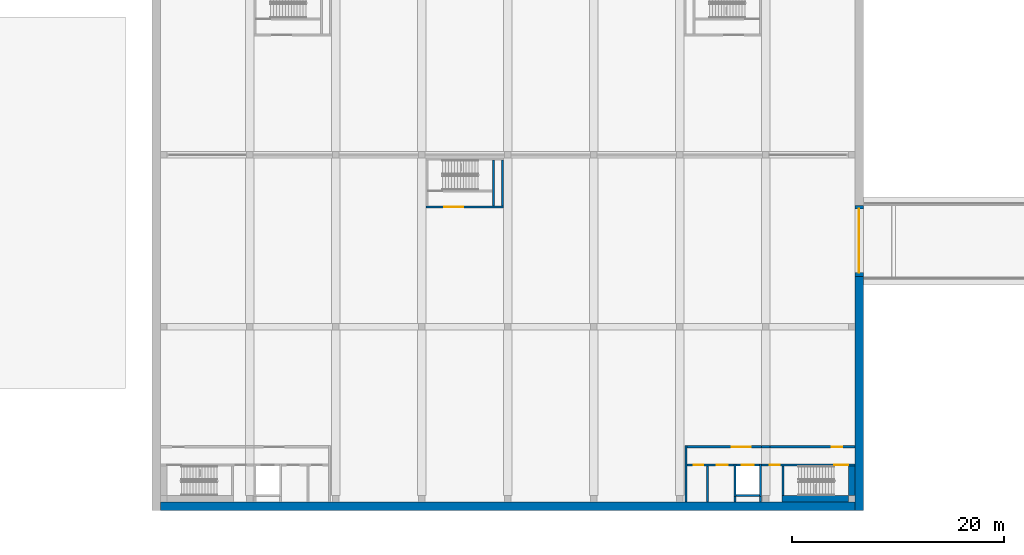
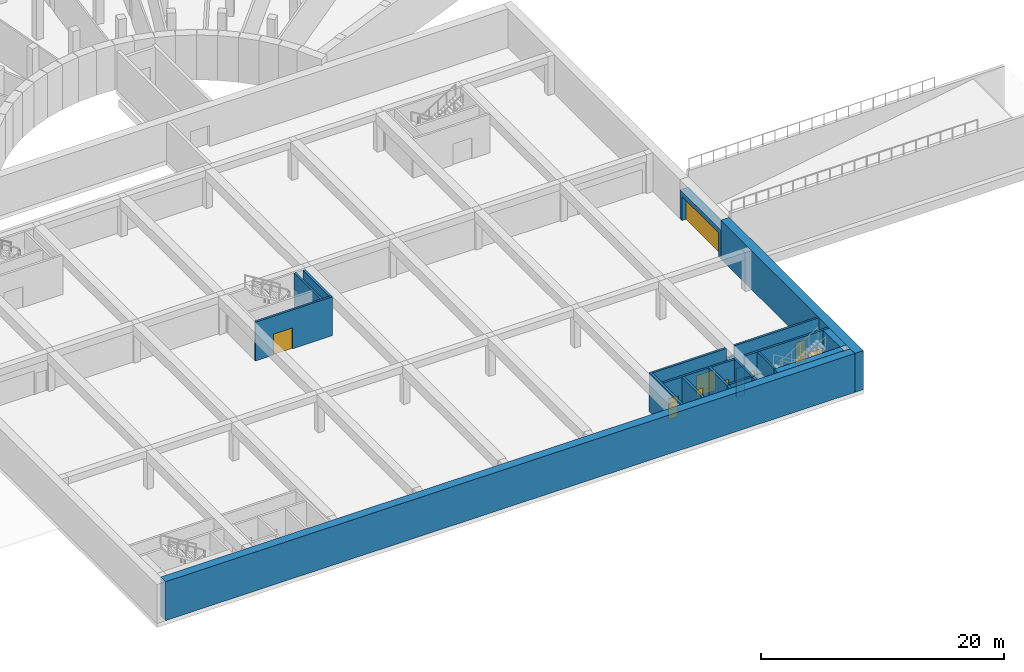
# One storey, part 4 of 23: 23 walls, 9 doors, 9 openings.
"""IFC4 building model written with IfcOpenShell, lengths in metres."""

from ifc_helpers import new_model, si_unit, direction, frame, frame_2d, origin, place, context, subcontext, project, spatial, rectangle, extrude, material, layer, layer_set, type_object, element, fill, save


model = new_model("IFC4")

# Units and contexts
model_context = context("Model", 3, precision=1e-05, world=origin(), true_north=direction((0.0, 1.0)))
body_context = subcontext(model_context, "Body", "Model", "MODEL_VIEW")
ifc_project = project(units=[si_unit("LENGTHUNIT", "METRE"), si_unit("AREAUNIT", "SQUARE_METRE"), si_unit("VOLUMEUNIT", "CUBIC_METRE"), si_unit("PLANEANGLEUNIT", "RADIAN"), si_unit("MASSUNIT", "GRAM", prefix="KILO")], contexts=[model_context])

# Site, building, storey
site_placement = place(None, origin())
site = spatial("IfcSite", under=ifc_project, at=site_placement, CompositionType="ELEMENT")
building_placement = place(site_placement, origin())
building = spatial("IfcBuilding", under=site, at=building_placement, Name="Stone Belt Terrace Tower", CompositionType="ELEMENT")
storey_placement = place(building_placement, frame((0.0, 0.0, -4.5)))
storey = spatial("IfcBuildingStorey", under=building, at=storey_placement, Name="B1", CompositionType="ELEMENT", Elevation=-4.5)

# Wall
ifc_material_1 = material(Name="Concrete B30", Category="concrete")
ifc_layer_1 = layer(ifc_material_1, 0.199951171875)
ifc_layer_set_1 = layer_set([ifc_layer_1], Name="Car park core wall 200 variant D")
wall_type_1 = type_object("IfcWallType", Name="Car park core wall 200 variant D", PredefinedType="SOLIDWALL", material=ifc_layer_set_1)
wall_1_placement = place(storey_placement, frame((25.93994140625, -50.10009765625, 0.0), z_axis=(0.0, 0.0, 1.0), x_axis=(0.0, 1.0, 0.0)))
element("IfcWall", 1, at=wall_1_placement, inside=storey, type_object=wall_type_1, Name="Car park stair 2 wall", PredefinedType="SOLIDWALL", context=body_context, shape_type="SweptSolid", body=[
    extrude(rectangle(XDim=2.800048828125, YDim=0.199951171875, at=frame_2d((1.39990234375, 0.0))), origin(), (0.0, 0.0, 1.0), 3.89990234375),
])

# Wall, openings, doors
wall_2_placement = place(storey_placement, frame((24.699951171875, -47.199951171875, 0.0), z_axis=(0.0, 0.0, 1.0), x_axis=(1.0, 0.0, 0.0)))
wall_2 = element("IfcWall", 2, at=wall_2_placement, inside=storey, type_object=wall_type_1, Name="Car park core 2 wall", PredefinedType="SOLIDWALL", context=body_context, shape_type="SweptSolid", body=[
    extrude(rectangle(XDim=8.0, YDim=0.199951171875, at=frame_2d((4.0, 0.0))), origin(), (0.0, 0.0, 1.0), 3.89990234375),
])
opening_1_placement = place(wall_2_placement, frame((6.050048828125, 0.0, 0.0)))
opening_1 = element("IfcOpeningElement", 3, at=opening_1_placement, cuts=wall_2, Name="Opening B1-S13", PredefinedType="OPENING", context=body_context, shape_type="SweptSolid", body=[
    extrude(rectangle(XDim=1.300048828125, YDim=2.10009765625, at=frame_2d((0.64990234375, 1.050048828125))), frame((0.0, 0.10986328125, 0.0), z_axis=(0.0, -1.0, 0.0), x_axis=(1.0, 0.0, 0.0)), (0.0, 0.0, 1.0), 0.219970703125),
])
opening_2_placement = place(wall_2_placement, origin())
opening_2 = element("IfcOpeningElement", 4, at=opening_2_placement, cuts=wall_2, Name="Opening B1-S14", PredefinedType="OPENING", context=body_context, shape_type="SweptSolid", body=[
    extrude(rectangle(XDim=0.89990234375, YDim=2.10009765625, at=frame_2d((0.449951171875, 1.050048828125))), frame((0.0, 0.10986328125, 0.0), z_axis=(0.0, -1.0, 0.0), x_axis=(1.0, 0.0, 0.0)), (0.0, 0.0, 1.0), 0.219970703125),
])
ifc_material_2 = material(Name="Steel door leaf", Category="steel")
door_type_1 = type_object("IfcDoorType", Name="Core door 1300 fire rated", OperationType="NOTDEFINED", PredefinedType="DOOR", material=ifc_material_2)
door_1_placement = place(opening_1_placement, origin())
door_1 = element("IfcDoor", 5, at=door_1_placement, inside=storey, type_object=door_type_1, Name="Stair 2 door", OperationType="SINGLE_SWING_RIGHT", OverallHeight=2.10009765625, OverallWidth=1.300048828125, PredefinedType="DOOR", context=body_context, shape_type="SweptSolid", body=[
    extrude(rectangle(XDim=1.300048828125, YDim=2.10009765625, at=frame_2d((0.64990234375, 1.050048828125))), frame((0.0, 0.02490234375, 0.0), z_axis=(0.0, -1.0, 0.0), x_axis=(1.0, 0.0, 0.0)), (0.0, 0.0, 1.0), 0.050048828125),
])
fill(opening_1, door_1)
door_type_2 = type_object("IfcDoorType", Name="Core door 900 fire rated", OperationType="NOTDEFINED", PredefinedType="DOOR", material=ifc_material_2)
door_2_placement = place(opening_2_placement, origin())
door_2 = element("IfcDoor", 6, at=door_2_placement, inside=storey, type_object=door_type_2, Name="Riser room 2 door", OperationType="SINGLE_SWING_LEFT", OverallHeight=2.10009765625, OverallWidth=0.89990234375, PredefinedType="DOOR", context=body_context, shape_type="SweptSolid", body=[
    extrude(rectangle(XDim=0.89990234375, YDim=2.10009765625, at=frame_2d((0.449951171875, 1.050048828125))), frame((0.0, 0.02490234375, 0.0), z_axis=(0.0, -1.0, 0.0), x_axis=(1.0, 0.0, 0.0)), (0.0, 0.0, 1.0), 0.050048828125),
])
fill(opening_2, door_2)

wall_3_placement = place(storey_placement, frame((16.89990234375, -47.199951171875, 0.0), z_axis=(0.0, 0.0, 1.0), x_axis=(1.0, 0.0, 0.0)))
wall_3 = element("IfcWall", 7, at=wall_3_placement, inside=storey, type_object=wall_type_1, Name="Car park core 2 wall", PredefinedType="SOLIDWALL", context=body_context, shape_type="SweptSolid", body=[
    extrude(rectangle(XDim=4.400146484375, YDim=0.199951171875, at=frame_2d((2.2001953125, 0.0))), origin(), (0.0, 0.0, 1.0), 3.89990234375),
])
opening_3_placement = place(wall_3_placement, frame((2.800048828125, 0.0, 0.0)))
opening_3 = element("IfcOpeningElement", 8, at=opening_3_placement, cuts=wall_3, Name="Opening B1-S16", PredefinedType="OPENING", context=body_context, shape_type="SweptSolid", body=[
    extrude(rectangle(XDim=1.0, YDim=2.10009765625, at=frame_2d((0.5, 1.050048828125))), frame((0.0, 0.10986328125, 0.0), z_axis=(0.0, -1.0, 0.0), x_axis=(1.0, 0.0, 0.0)), (0.0, 0.0, 1.0), 0.219970703125),
])
opening_4_placement = place(wall_3_placement, frame((0.60009765625, 0.0, 0.0)))
opening_4 = element("IfcOpeningElement", 9, at=opening_4_placement, cuts=wall_3, Name="Opening B1-S17", PredefinedType="OPENING", context=body_context, shape_type="SweptSolid", body=[
    extrude(rectangle(XDim=0.89990234375, YDim=2.10009765625, at=frame_2d((0.449951171875, 1.050048828125))), frame((0.0, 0.10986328125, 0.0), z_axis=(0.0, -1.0, 0.0), x_axis=(1.0, 0.0, 0.0)), (0.0, 0.0, 1.0), 0.219970703125),
])
door_type_3 = type_object("IfcDoorType", Name="Core door 1000 fire rated", OperationType="NOTDEFINED", PredefinedType="DOOR", material=ifc_material_2)
door_3_placement = place(opening_3_placement, origin())
door_3 = element("IfcDoor", 10, at=door_3_placement, inside=storey, type_object=door_type_3, Name="Accessible WC 2 door", OperationType="SINGLE_SWING_RIGHT", OverallHeight=2.10009765625, OverallWidth=1.0, PredefinedType="DOOR", context=body_context, shape_type="SweptSolid", body=[
    extrude(rectangle(XDim=1.0, YDim=2.10009765625, at=frame_2d((0.5, 1.050048828125))), frame((0.0, 0.02490234375, 0.0), z_axis=(0.0, -1.0, 0.0), x_axis=(1.0, 0.0, 0.0)), (0.0, 0.0, 1.0), 0.050048828125),
])
fill(opening_3, door_3)
door_4_placement = place(opening_4_placement, origin())
door_4 = element("IfcDoor", 11, at=door_4_placement, inside=storey, type_object=door_type_2, Name="Equipment store 2 door", OperationType="SINGLE_SWING_LEFT", OverallHeight=2.10009765625, OverallWidth=0.89990234375, PredefinedType="DOOR", context=body_context, shape_type="SweptSolid", body=[
    extrude(rectangle(XDim=0.89990234375, YDim=2.10009765625, at=frame_2d((0.449951171875, 1.050048828125))), frame((0.0, 0.02490234375, 0.0), z_axis=(0.0, -1.0, 0.0), x_axis=(1.0, 0.0, 0.0)), (0.0, 0.0, 1.0), 0.050048828125),
])
fill(opening_4, door_4)

# Walls
for number, where, z_axis, x_axis, name in (
    (12, (23.800048828125, -50.699951171875, 0.0), (0.0, 0.0, 1.0), (0.0, 1.0, 0.0), "Car park core 2 wall"),
    (13, (21.39990234375, -50.699951171875, 0.0), (0.0, 0.0, 1.0), (0.0, 1.0, 0.0), "Car park core 2 wall"),
):
    element("IfcWall", number, at=place(storey_placement, frame(where, z_axis=z_axis, x_axis=x_axis)), inside=storey, type_object=wall_type_1, Name=name, PredefinedType="SOLIDWALL", context=body_context, shape_type="SweptSolid", body=[
        extrude(rectangle(XDim=0.5, YDim=0.199951171875, at=frame_2d((0.25, 0.0))), origin(), (0.0, 0.0, 1.0), 3.89990234375),
    ])
wall_4_placement = place(storey_placement, frame((16.800048828125, -50.699951171875, 0.0), z_axis=(0.0, 0.0, 1.0), x_axis=(0.0, 1.0, 0.0)))
element("IfcWall", 14, at=wall_4_placement, inside=storey, type_object=wall_type_1, Name="Car park core 2 wall", PredefinedType="SOLIDWALL", context=body_context, shape_type="SweptSolid", body=[
    extrude(rectangle(XDim=5.300048828125, YDim=0.199951171875, at=frame_2d((2.64990234375, 0.0))), origin(), (0.0, 0.0, 1.0), 3.89990234375),
])

# Wall, opening, door
wall_5_placement = place(storey_placement, frame((16.89990234375, -45.5, 0.0), z_axis=(0.0, 0.0, 1.0), x_axis=(1.0, 0.0, 0.0)))
wall_5 = element("IfcWall", 15, at=wall_5_placement, inside=storey, type_object=wall_type_1, Name="Car park core 2 front wall", PredefinedType="SOLIDWALL", context=body_context, shape_type="SweptSolid", body=[
    extrude(rectangle(XDim=7.0, YDim=0.199951171875, at=frame_2d((3.5, 0.0))), origin(), (0.0, 0.0, 1.0), 3.89990234375),
])
opening_5_placement = place(wall_5_placement, frame((4.199951171875, 0.0, 0.0)))
opening_5 = element("IfcOpeningElement", 16, at=opening_5_placement, cuts=wall_5, Name="Opening B1-S18", PredefinedType="OPENING", context=body_context, shape_type="SweptSolid", body=[
    extrude(rectangle(XDim=1.800048828125, YDim=2.10009765625, at=frame_2d((0.89990234375, 1.050048828125))), frame((0.0, 0.10986328125, 0.0), z_axis=(0.0, -1.0, 0.0), x_axis=(1.0, 0.0, 0.0)), (0.0, 0.0, 1.0), 0.219970703125),
])
door_type_4 = type_object("IfcDoorType", Name="Core door pair 1800 fire rated", OperationType="DOUBLE_DOOR_DOUBLE_SWING", PredefinedType="DOOR", material=ifc_material_2)
door_5_placement = place(opening_5_placement, origin())
door_5 = element("IfcDoor", 17, at=door_5_placement, inside=storey, type_object=door_type_4, Name="Car park lobby 2 door", OperationType="SINGLE_SWING_LEFT", OverallHeight=2.10009765625, OverallWidth=1.800048828125, PredefinedType="DOOR", context=body_context, shape_type="SweptSolid", body=[
    extrude(rectangle(XDim=1.800048828125, YDim=2.10009765625, at=frame_2d((0.89990234375, 1.050048828125))), frame((0.0, 0.02490234375, 0.0), z_axis=(0.0, -1.0, 0.0), x_axis=(1.0, 0.0, 0.0)), (0.0, 0.0, 1.0), 0.050048828125),
])
fill(opening_5, door_5)

wall_6_placement = place(storey_placement, frame((24.699951171875, -45.5, 0.0), z_axis=(0.0, 0.0, 1.0), x_axis=(1.0, 0.0, 0.0)))
wall_6 = element("IfcWall", 18, at=wall_6_placement, inside=storey, type_object=wall_type_1, Name="Car park core 2 front wall", PredefinedType="SOLIDWALL", context=body_context, shape_type="SweptSolid", body=[
    extrude(rectangle(XDim=8.0, YDim=0.199951171875, at=frame_2d((4.0, 0.0))), origin(), (0.0, 0.0, 1.0), 3.89990234375),
])
opening_6_placement = place(wall_6_placement, frame((5.800048828125, 0.0, 0.0)))
opening_6 = element("IfcOpeningElement", 19, at=opening_6_placement, cuts=wall_6, Name="Opening B1-S19", PredefinedType="OPENING", context=body_context, shape_type="SweptSolid", body=[
    extrude(rectangle(XDim=1.0, YDim=2.10009765625, at=frame_2d((0.5, 1.050048828125))), frame((0.0, 0.10986328125, 0.0), z_axis=(0.0, -1.0, 0.0), x_axis=(1.0, 0.0, 0.0)), (0.0, 0.0, 1.0), 0.219970703125),
])
door_6_placement = place(opening_6_placement, origin())
door_6 = element("IfcDoor", 20, at=door_6_placement, inside=storey, type_object=door_type_3, Name="Car park exit 2 door", OperationType="SINGLE_SWING_LEFT", OverallHeight=2.10009765625, OverallWidth=1.0, PredefinedType="DOOR", context=body_context, shape_type="SweptSolid", body=[
    extrude(rectangle(XDim=1.0, YDim=2.10009765625, at=frame_2d((0.5, 1.050048828125))), frame((0.0, 0.02490234375, 0.0), z_axis=(0.0, -1.0, 0.0), x_axis=(1.0, 0.0, 0.0)), (0.0, 0.0, 1.0), 0.050048828125),
])
fill(opening_6, door_6)

wall_7_placement = place(storey_placement, frame((-7.699951171875, -22.89990234375, 0.0), z_axis=(0.0, 0.0, 1.0), x_axis=(1.0, 0.0, 0.0)))
wall_7 = element("IfcWall", 21, at=wall_7_placement, inside=storey, type_object=wall_type_1, Name="Car park stair 5 front wall", PredefinedType="SOLIDWALL", context=body_context, shape_type="SweptSolid", body=[
    extrude(rectangle(XDim=7.300048828125, YDim=0.199951171875, at=frame_2d((3.64990234375, 0.0))), origin(), (0.0, 0.0, 1.0), 3.89990234375),
])
opening_7_placement = place(wall_7_placement, frame((1.699951171875, 0.0, 0.0)))
opening_7 = element("IfcOpeningElement", 22, at=opening_7_placement, cuts=wall_7, Name="Opening B1-S25", PredefinedType="OPENING", context=body_context, shape_type="SweptSolid", body=[
    extrude(rectangle(XDim=1.800048828125, YDim=2.10009765625, at=frame_2d((0.89990234375, 1.050048828125))), frame((0.0, 0.10986328125, 0.0), z_axis=(0.0, -1.0, 0.0), x_axis=(1.0, 0.0, 0.0)), (0.0, 0.0, 1.0), 0.219970703125),
])
door_7_placement = place(opening_7_placement, origin())
door_7 = element("IfcDoor", 23, at=door_7_placement, inside=storey, type_object=door_type_4, Name="Car park stair 5 vestibule door", OperationType="SINGLE_SWING_LEFT", OverallHeight=2.10009765625, OverallWidth=1.800048828125, PredefinedType="DOOR", context=body_context, shape_type="SweptSolid", body=[
    extrude(rectangle(XDim=1.800048828125, YDim=2.10009765625, at=frame_2d((0.89990234375, 1.050048828125))), frame((0.0, 0.02490234375, 0.0), z_axis=(0.0, -1.0, 0.0), x_axis=(1.0, 0.0, 0.0)), (0.0, 0.0, 1.0), 0.050048828125),
])
fill(opening_7, door_7)

# Walls
for number, where, z_axis, x_axis, name in (
    (24, (-1.340087890625, -22.800048828125, 0.0), (0.0, 0.0, 1.0), (0.0, 1.0, 0.0), "Car park stair 5 wall"),
    (25, (-0.5, -22.800048828125, 0.0), (0.0, 0.0, 1.0), (0.0, 1.0, 0.0), "Car park stair 5 wall"),
):
    element("IfcWall", number, at=place(storey_placement, frame(where, z_axis=z_axis, x_axis=x_axis)), inside=storey, type_object=wall_type_1, Name=name, PredefinedType="SOLIDWALL", context=body_context, shape_type="SweptSolid", body=[
        extrude(rectangle(XDim=4.300048828125, YDim=0.199951171875, at=frame_2d((2.14990234375, 0.0))), origin(), (0.0, 0.0, 1.0), 3.89990234375),
    ])
ifc_layer_2 = layer(ifc_material_1, 0.199951171875)
ifc_layer_set_2 = layer_set([ifc_layer_2], Name="Car park core wall 200 variant E")
wall_type_2 = type_object("IfcWallType", Name="Car park core wall 200 variant E", PredefinedType="SOLIDWALL", material=ifc_layer_set_2)
for number, where, z_axis, x_axis, name in (
    (26, (23.89990234375, -47.199951171875, 0.0), (0.0, 0.0, 1.0), (1.0, 0.0, 0.0), "Car park core 2 wall"),
    (27, (23.89990234375, -45.5, 0.0), (0.0, 0.0, 1.0), (1.0, 0.0, 0.0), "Car park core 2 front wall"),
):
    element("IfcWall", number, at=place(storey_placement, frame(where, z_axis=z_axis, x_axis=x_axis)), inside=storey, type_object=wall_type_2, Name=name, PredefinedType="SOLIDWALL", context=body_context, shape_type="SweptSolid", body=[
        extrude(rectangle(XDim=0.800048828125, YDim=0.199951171875, at=frame_2d((0.39990234375, 0.0))), origin(), (0.0, 0.0, 1.0), 2.89990234375),
    ])

# Wall, opening, door
ifc_layer_3 = layer(ifc_material_1, 0.199951171875)
ifc_layer_set_3 = layer_set([ifc_layer_3], Name="Car park core wall 200 variant F")
wall_type_3 = type_object("IfcWallType", Name="Car park core wall 200 variant F", PredefinedType="SOLIDWALL", material=ifc_layer_set_3)
wall_8_placement = place(storey_placement, frame((21.5, -47.199951171875, -0.39990234375), z_axis=(0.0, 0.0, 1.0), x_axis=(1.0, 0.0, 0.0)))
wall_8 = element("IfcWall", 28, at=wall_8_placement, inside=storey, type_object=wall_type_3, Name="Car park lift 2 shaft wall", PredefinedType="SOLIDWALL", context=body_context, shape_type="SweptSolid", body=[
    extrude(rectangle(XDim=2.199951171875, YDim=0.199951171875, at=frame_2d((1.10009765625, 0.0))), origin(), (0.0, 0.0, 1.0), 4.2998046875),
])
opening_8_placement = place(wall_8_placement, frame((0.550048828125, 0.0, 0.39990234375)))
opening_8 = element("IfcOpeningElement", 29, at=opening_8_placement, cuts=wall_8, Name="Opening B1-S15", PredefinedType="OPENING", context=body_context, shape_type="SweptSolid", body=[
    extrude(rectangle(XDim=1.10009765625, YDim=2.10009765625, at=frame_2d((0.550048828125, 1.050048828125))), frame((0.0, 0.10986328125, 0.0), z_axis=(0.0, -1.0, 0.0), x_axis=(1.0, 0.0, 0.0)), (0.0, 0.0, 1.0), 0.219970703125),
])
ifc_material_3 = material(Name="Stainless steel", Category="steel")
door_type_5 = type_object("IfcDoorType", Name="Lift landing door 1100", OperationType="SLIDING_TO_LEFT", PredefinedType="DOOR", material=ifc_material_3)
door_8_placement = place(opening_8_placement, origin())
door_8 = element("IfcDoor", 30, at=door_8_placement, inside=storey, type_object=door_type_5, Name="Lift 2 landing door", OperationType="SLIDING_TO_RIGHT", OverallHeight=2.10009765625, OverallWidth=1.10009765625, PredefinedType="DOOR", context=body_context, shape_type="SweptSolid", body=[
    extrude(rectangle(XDim=1.10009765625, YDim=2.10009765625, at=frame_2d((0.550048828125, 1.050048828125))), frame((0.0, 0.02490234375, 0.0), z_axis=(0.0, -1.0, 0.0), x_axis=(1.0, 0.0, 0.0)), (0.0, 0.0, 1.0), 0.050048828125),
])
fill(opening_8, door_8)

# Walls
for number, where, z_axis, x_axis, name in (
    (31, (23.800048828125, -50.199951171875, -0.39990234375), (0.0, 0.0, 1.0), (0.0, 1.0, 0.0), "Car park lift 2 shaft wall"),
    (32, (21.39990234375, -50.199951171875, -0.39990234375), (0.0, 0.0, 1.0), (0.0, 1.0, 0.0), "Car park lift 2 shaft wall"),
):
    element("IfcWall", number, at=place(storey_placement, frame(where, z_axis=z_axis, x_axis=x_axis)), inside=storey, type_object=wall_type_3, Name=name, PredefinedType="SOLIDWALL", context=body_context, shape_type="SweptSolid", body=[
        extrude(rectangle(XDim=3.099853515625, YDim=0.199951171875, at=frame_2d((1.5498046875, 0.0))), origin(), (0.0, 0.0, 1.0), 4.2998046875),
    ])
wall_9_placement = place(storey_placement, frame((21.5, -50.10009765625, -0.39990234375), z_axis=(0.0, 0.0, 1.0), x_axis=(1.0, 0.0, 0.0)))
element("IfcWall", 33, at=wall_9_placement, inside=storey, type_object=wall_type_3, Name="Car park lift 2 shaft wall", PredefinedType="SOLIDWALL", context=body_context, shape_type="SweptSolid", body=[
    extrude(rectangle(XDim=2.199951171875, YDim=0.199951171875, at=frame_2d((1.10009765625, 0.0))), origin(), (0.0, 0.0, 1.0), 4.2998046875),
])
ifc_material_4 = material(Name="Blockwork", Category="masonry")
ifc_layer_4 = layer(ifc_material_4, 0.199951171875)
ifc_layer_set_4 = layer_set([ifc_layer_4], Name="Car park partition 200 variant A")
wall_type_4 = type_object("IfcWallType", Name="Car park partition 200 variant A", PredefinedType="PARTITIONING", material=ifc_layer_set_4)
wall_10_placement = place(storey_placement, frame((18.800048828125, -50.699951171875, 0.0), z_axis=(0.0, 0.0, 1.0), x_axis=(0.0, 1.0, 0.0)))
element("IfcWall", 34, at=wall_10_placement, inside=storey, type_object=wall_type_4, Name="Car park core 2 partition", PredefinedType="PARTITIONING", context=body_context, shape_type="SweptSolid", body=[
    extrude(rectangle(XDim=3.39990234375, YDim=0.199951171875, at=frame_2d((1.699951171875, 0.0))), origin(), (0.0, 0.0, 1.0), 3.89990234375),
])
ifc_layer_5 = layer(ifc_material_1, 0.800048828125)
ifc_layer_set_5 = layer_set([ifc_layer_5], Name="Car park retaining wall 800 variant A")
wall_type_5 = type_object("IfcWallType", Name="Car park retaining wall 800 variant A", PredefinedType="SOLIDWALL", material=ifc_layer_set_5)
wall_11_placement = place(storey_placement, frame((33.10009765625, -51.5, 0.0), z_axis=(0.0, 0.0, 1.0), x_axis=(0.0, 1.0, 0.0)))
element("IfcWall", 35, at=wall_11_placement, inside=storey, type_object=wall_type_5, Name="Car park retaining wall east", PredefinedType="SOLIDWALL", context=body_context, shape_type="SweptSolid", body=[
    extrude(rectangle(XDim=22.050048828125, YDim=0.800048828125, at=frame_2d((11.02490234375, 0.0))), origin(), (0.0, 0.0, 1.0), 3.89990234375),
])
wall_12_placement = place(storey_placement, frame((-32.699951171875, -51.10009765625, 0.0), z_axis=(0.0, 0.0, 1.0), x_axis=(1.0, 0.0, 0.0)))
element("IfcWall", 36, at=wall_12_placement, inside=storey, type_object=wall_type_5, Name="Car park retaining wall south", PredefinedType="SOLIDWALL", context=body_context, shape_type="SweptSolid", body=[
    extrude(rectangle(XDim=65.39990234375, YDim=0.800048828125, at=frame_2d((32.699951171875, 0.0))), origin(), (0.0, 0.0, 1.0), 3.89990234375),
])

# Wall, opening, door
ifc_layer_6 = layer(ifc_material_1, 0.800048828125)
ifc_layer_set_6 = layer_set([ifc_layer_6], Name="Car park retaining wall 800 variant B")
wall_type_6 = type_object("IfcWallType", Name="Car park retaining wall 800 variant B", PredefinedType="SOLIDWALL", material=ifc_layer_set_6)
wall_13_placement = place(storey_placement, frame((33.10009765625, -29.449951171875, 0.0), z_axis=(0.0, 0.0, 1.0), x_axis=(0.0, 1.0, 0.0)))
wall_13 = element("IfcWall", 37, at=wall_13_placement, inside=storey, type_object=wall_type_6, Name="Car park entrance gate wall", PredefinedType="SOLIDWALL", context=body_context, shape_type="SweptSolid", body=[
    extrude(rectangle(XDim=6.699951171875, YDim=0.800048828125, at=frame_2d((3.35009765625, 0.0))), origin(), (0.0, 0.0, 1.0), 2.89990234375),
])
opening_9_placement = place(wall_13_placement, frame((0.35009765625, 0.0, 0.0)))
opening_9 = element("IfcOpeningElement", 38, at=opening_9_placement, cuts=wall_13, Name="Opening B1-S26", PredefinedType="OPENING", context=body_context, shape_type="SweptSolid", body=[
    extrude(rectangle(XDim=6.0, YDim=2.39990234375, at=frame_2d((3.0, 1.199951171875))), frame((0.0, 0.409912109375, 0.0), z_axis=(0.0, -1.0, 0.0), x_axis=(1.0, 0.0, 0.0)), (0.0, 0.0, 1.0), 0.820068359375),
])
ifc_material_5 = material(Name="Steel roller shutter", Category="steel")
door_type_6 = type_object("IfcDoorType", Name="Vehicle gate 6000 x 2400", OperationType="ROLLINGUP", PredefinedType="DOOR", material=ifc_material_5)
door_9_placement = place(opening_9_placement, origin())
door_9 = element("IfcDoor", 39, at=door_9_placement, inside=storey, type_object=door_type_6, Name="Car park entrance vehicle gate", OperationType="ROLLINGUP", OverallHeight=2.39990234375, OverallWidth=6.0, PredefinedType="DOOR", context=body_context, shape_type="SweptSolid", body=[
    extrude(rectangle(XDim=6.0, YDim=2.39990234375, at=frame_2d((3.0, 1.199951171875))), frame((0.0, 0.02490234375, 0.0), z_axis=(0.0, -1.0, 0.0), x_axis=(1.0, 0.0, 0.0)), (0.0, 0.0, 1.0), 0.050048828125),
])
fill(opening_9, door_9)

# Walls
ifc_layer_7 = layer(ifc_material_1, 0.60009765625)
ifc_layer_set_7 = layer_set([ifc_layer_7], Name="Car park stair wall 600 variant A")
wall_type_7 = type_object("IfcWallType", Name="Car park stair wall 600 variant A", PredefinedType="SOLIDWALL", material=ifc_layer_set_7)
wall_14_placement = place(storey_placement, frame((25.840087890625, -50.39990234375, 0.0), z_axis=(0.0, 0.0, 1.0), x_axis=(1.0, 0.0, 0.0)))
element("IfcWall", 40, at=wall_14_placement, inside=storey, type_object=wall_type_7, Name="Car park stair 2 wall", PredefinedType="SOLIDWALL", context=body_context, shape_type="SweptSolid", body=[
    extrude(rectangle(XDim=6.260009765625, YDim=0.60009765625, at=frame_2d((3.1298828125, 0.0))), origin(), (0.0, 0.0, 1.0), 3.89990234375),
])
wall_15_placement = place(storey_placement, frame((32.39990234375, -50.10009765625, 0.0), z_axis=(0.0, 0.0, 1.0), x_axis=(0.0, 1.0, 0.0)))
element("IfcWall", 41, at=wall_15_placement, inside=storey, type_object=wall_type_7, Name="Car park stair 2 wall", PredefinedType="SOLIDWALL", context=body_context, shape_type="SweptSolid", body=[
    extrude(rectangle(XDim=2.800048828125, YDim=0.60009765625, at=frame_2d((1.39990234375, 0.0))), origin(), (0.0, 0.0, 1.0), 3.89990234375),
])

save(model, "model.ifc")
